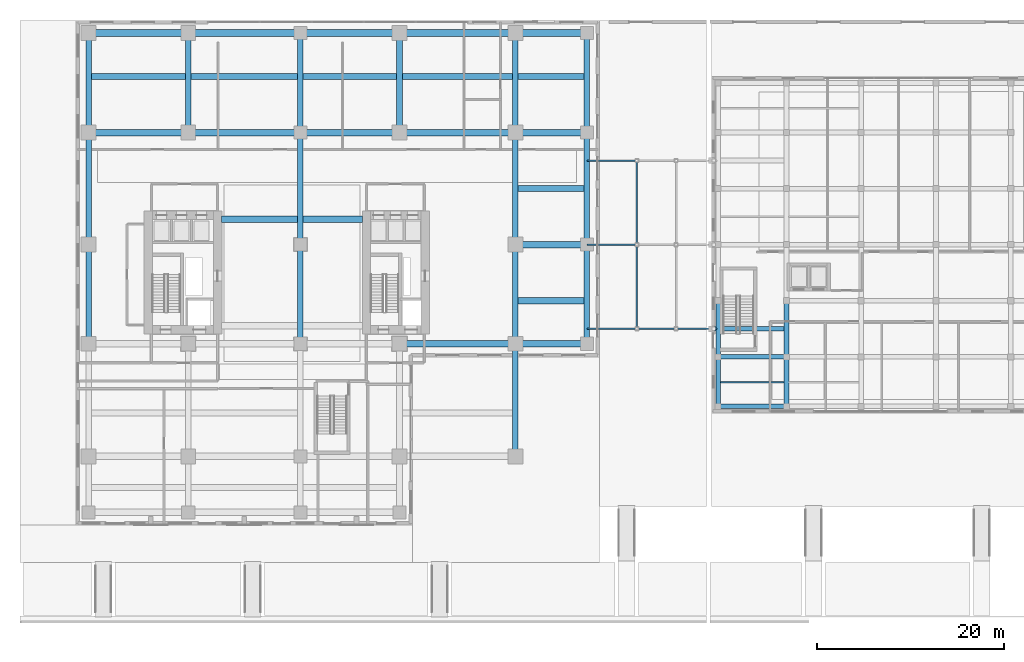
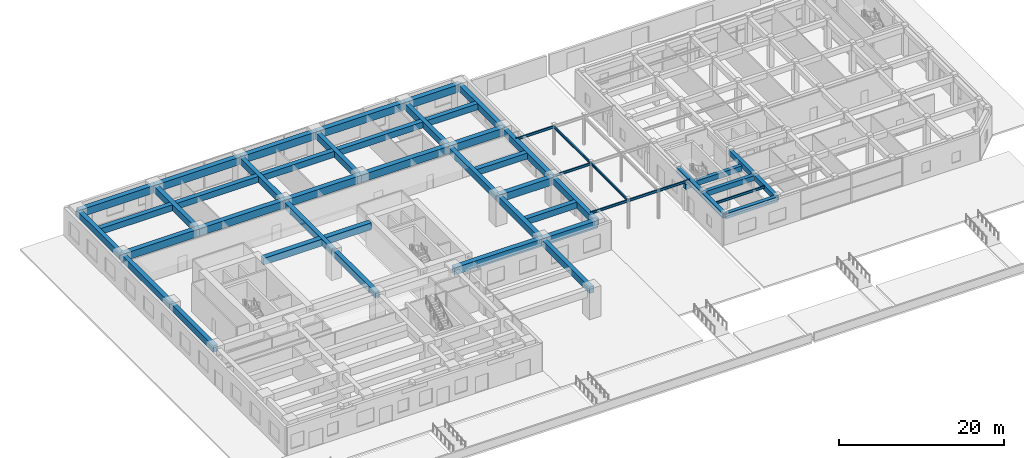
# One storey, part 11 of 39: 51 beams.
"""IFC4 building model written with IfcOpenShell, lengths in metres."""

from ifc_helpers import new_model, si_unit, direction, frame, origin, origin_2d, place, context, subcontext, project, spatial, rectangle, i_section, extrude, source, transform, mapped, material, material_profile, profile_set, type_object, element, save


model = new_model("IFC4")

# Units and contexts
model_context = context("Model", 3, precision=1e-05, world=origin(), true_north=direction((0.0, 1.0)))
body_context = subcontext(model_context, "Body", "Model", "MODEL_VIEW")
ifc_project = project(units=[si_unit("LENGTHUNIT", "METRE"), si_unit("AREAUNIT", "SQUARE_METRE"), si_unit("VOLUMEUNIT", "CUBIC_METRE"), si_unit("PLANEANGLEUNIT", "RADIAN"), si_unit("MASSUNIT", "GRAM", prefix="KILO")], contexts=[model_context])

# Site, building, storey
site_placement = place(None, origin())
site = spatial("IfcSite", under=ifc_project, at=site_placement, CompositionType="ELEMENT")
building_placement = place(site_placement, origin())
building = spatial("IfcBuilding", under=site, at=building_placement, Name="Khoralis Quay Care Tower", CompositionType="ELEMENT")
storey_placement = place(building_placement, origin())
storey = spatial("IfcBuildingStorey", under=building, at=storey_placement, Name="L00", CompositionType="ELEMENT", Elevation=0.0)

# Beams
ifc_material_1 = material(Name="Concrete C40/50", Category="concrete")
ifc_material_profile_1 = material_profile(ifc_material_1, rectangle(XDim=0.5, YDim=0.75, at=origin_2d()), Name="Concrete C40/50")
ifc_profile_set_1 = profile_set([ifc_material_profile_1], Name="Concrete C40/50")
beam_type_1 = type_object("IfcBeamType", Name="BM-RC500X750", PredefinedType="BEAM", material=ifc_profile_set_1)
shared_shape_1 = source(origin(), body_context, "Body", "SweptSolid", [
    extrude(rectangle(XDim=0.5, YDim=0.75, at=origin_2d()), origin(), (0.0, 0.0, 1.0), 7.923095703125),
])
beam_1_placement = place(storey_placement, frame((67.824951171875, 15.0, 3.425048828125), z_axis=(1.0, 0.0, 0.0), x_axis=(0.0, 1.0, 0.0)))
element("IfcBeam", 1, at=beam_1_placement, inside=storey, type_object=beam_type_1, Name="Movement Joint 800mm Concrete Bearing Seat Corbel 1", PredefinedType="BEAM", context=body_context, shape_type="MappedRepresentation", body=[
    mapped(shared_shape_1, transform((0.0, 0.0, 0.0), scale=1.0)),
])
ifc_material_2 = material(Name="Steel S355", Category="steel")
ifc_material_profile_2 = material_profile(ifc_material_2, i_section(OverallWidth=0.169921875, OverallDepth=0.360107421875, WebThickness=0.008056640625, FlangeThickness=0.0126953125, FilletRadius=0.01806640625, at=origin_2d()), Name="Steel S355")
ifc_profile_set_2 = profile_set([ifc_material_profile_2], Name="Steel S355")
beam_type_2 = type_object("IfcBeamType", Name="BM-IPE360", PredefinedType="SPANDREL", material=ifc_profile_set_2)
shared_shape_2 = source(origin(), body_context, "Body", "SweptSolid", [
    extrude(i_section(OverallWidth=0.169921875, OverallDepth=0.360107421875, WebThickness=0.008056640625, FlangeThickness=0.0126953125, FilletRadius=0.01806640625, at=origin_2d()), origin(), (0.0, 0.0, 1.0), 5.35009765625),
])
for number, where, z_axis, x_axis, name in (
    (2, (54.64990234375, 15.0, 4.06005859375), (1.0, 0.0, 0.0), (0.0, 1.0, 0.0), "BM-L01-CAN-W1"),
    (3, (54.64990234375, 24.0, 4.06005859375), (1.0, 0.0, 0.0), (0.0, 1.0, 0.0), "BM-L01-CAN-W2"),
    (4, (54.64990234375, 33.0, 4.06005859375), (1.0, 0.0, 0.0), (0.0, 1.0, 0.0), "BM-L01-CAN-W3"),
):
    element("IfcBeam", number, at=place(storey_placement, frame(where, z_axis=z_axis, x_axis=x_axis)), inside=storey, type_object=beam_type_2, Name=name, PredefinedType="SPANDREL", context=body_context, shape_type="MappedRepresentation", body=[
        mapped(shared_shape_2, transform((0.0, 0.0, 0.0), scale=1.0)),
    ])
shared_shape_3 = source(origin(), body_context, "Body", "SweptSolid", [
    extrude(i_section(OverallWidth=0.169921875, OverallDepth=0.360107421875, WebThickness=0.008056640625, FlangeThickness=0.0126953125, FilletRadius=0.01806640625, at=origin_2d()), origin(), (0.0, 0.0, 1.0), 4.199951171875),
])
beam_2_placement = place(storey_placement, frame((60.0, 15.0, 4.06005859375), z_axis=(1.0, 0.0, 0.0), x_axis=(0.0, 1.0, 0.0)))
element("IfcBeam", 5, at=beam_2_placement, inside=storey, type_object=beam_type_2, Name="BM-L01-CAN-M1", PredefinedType="SPANDREL", context=body_context, shape_type="MappedRepresentation", body=[
    mapped(shared_shape_3, transform((0.0, 0.0, 0.0), scale=1.0)),
])
shared_shape_4 = source(origin(), body_context, "Body", "SweptSolid", [
    extrude(i_section(OverallWidth=0.169921875, OverallDepth=0.360107421875, WebThickness=0.008056640625, FlangeThickness=0.0126953125, FilletRadius=0.01806640625, at=origin_2d()), origin(), (0.0, 0.0, 1.0), 4.35009765625),
])
beam_3_placement = place(storey_placement, frame((64.199951171875, 15.0, 4.06005859375), z_axis=(1.0, 0.0, 0.0), x_axis=(0.0, 1.0, 0.0)))
element("IfcBeam", 6, at=beam_3_placement, inside=storey, type_object=beam_type_2, Name="BM-L01-CAN-J1", PredefinedType="SPANDREL", context=body_context, shape_type="MappedRepresentation", body=[
    mapped(shared_shape_4, transform((0.0, 0.0, 0.0), scale=1.0)),
])
shared_shape_5 = source(origin(), body_context, "Body", "SweptSolid", [
    extrude(i_section(OverallWidth=0.169921875, OverallDepth=0.360107421875, WebThickness=0.008056640625, FlangeThickness=0.0126953125, FilletRadius=0.01806640625, at=origin_2d()), origin(), (0.0, 0.0, 1.0), 9.0),
])
for number, where, z_axis, x_axis, name in (
    (7, (60.0, 15.0, 4.06005859375), (0.0, 1.0, 0.0), (-1.0, 0.0, 0.0), "BM-L01-CAN-TIE1"),
    (8, (60.0, 24.0, 4.06005859375), (0.0, 1.0, 0.0), (-1.0, 0.0, 0.0), "BM-L01-CAN-TIE2"),
):
    element("IfcBeam", number, at=place(storey_placement, frame(where, z_axis=z_axis, x_axis=x_axis)), inside=storey, type_object=beam_type_2, Name=name, PredefinedType="SPANDREL", context=body_context, shape_type="MappedRepresentation", body=[
        mapped(shared_shape_5, transform((0.0, 0.0, 0.0), scale=1.0)),
    ])
ifc_material_3 = material(Name="Concrete C80/95", Category="concrete")
ifc_material_profile_3 = material_profile(ifc_material_3, rectangle(XDim=0.699951171875, YDim=1.0, at=origin_2d()), Name="Concrete C80/95")
ifc_profile_set_3 = profile_set([ifc_material_profile_3], Name="Concrete C80/95")
beam_type_3 = type_object("IfcBeamType", Name="CB-RC700X1000", PredefinedType="LINTEL", material=ifc_profile_set_3)
shared_shape_6 = source(origin(), body_context, "Body", "SweptSolid", [
    extrude(rectangle(XDim=0.699951171875, YDim=1.0, at=origin_2d()), origin(), (0.0, 0.0, 1.0), 15.079833984375),
])
beam_4_placement = place(storey_placement, frame((15.570068359375, 26.699951171875, 3.659912109375), z_axis=(1.0, 0.0, 0.0), x_axis=(0.0, 1.0, 0.0)))
element("IfcBeam", 9, at=beam_4_placement, inside=storey, type_object=beam_type_3, Name="L00 North Core Coupling Lintel", PredefinedType="LINTEL", context=body_context, shape_type="MappedRepresentation", body=[
    mapped(shared_shape_6, transform((0.0, 0.0, 0.0), scale=1.0)),
])
ifc_material_4 = material(Name="Concrete C65/80", Category="concrete")
ifc_material_profile_4 = material_profile(ifc_material_4, rectangle(XDim=0.699951171875, YDim=1.10009765625, at=origin_2d()), Name="Concrete C65/80")
ifc_profile_set_4 = profile_set([ifc_material_profile_4], Name="Concrete C65/80")
beam_type_4 = type_object("IfcBeamType", Name="BM-RC700X1100", PredefinedType="BEAM", material=ifc_profile_set_4)
shared_shape_7 = source(origin(), body_context, "Body", "SweptSolid", [
    extrude(rectangle(XDim=0.699951171875, YDim=1.10009765625, at=origin_2d()), origin(), (0.0, 0.0, 1.0), 10.64990234375),
])
for number, where, z_axis, x_axis, name in (
    (10, (1.35009765625, 36.0, 3.610107421875), (1.0, 0.0, 0.0), (0.0, 1.0, 0.0), "BM-PODX-L00-14"),
    (11, (1.35009765625, 46.64990234375, 3.610107421875), (1.0, 0.0, 0.0), (0.0, 1.0, 0.0), "BM-PODX-L00-19"),
):
    element("IfcBeam", number, at=place(storey_placement, frame(where, z_axis=z_axis, x_axis=x_axis)), inside=storey, type_object=beam_type_4, Name=name, PredefinedType="BEAM", context=body_context, shape_type="MappedRepresentation", body=[
        mapped(shared_shape_7, transform((0.0, 0.0, 0.0), scale=1.0)),
    ])
shared_shape_8 = source(origin(), body_context, "Body", "SweptSolid", [
    extrude(rectangle(XDim=0.699951171875, YDim=1.10009765625, at=origin_2d()), origin(), (0.0, 0.0, 1.0), 12.0),
])
for number, where, z_axis, x_axis, name in (
    (12, (12.0, 36.0, 3.610107421875), (1.0, 0.0, 0.0), (0.0, 1.0, 0.0), "BM-PODX-L00-15"),
    (13, (12.0, 46.64990234375, 3.610107421875), (1.0, 0.0, 0.0), (0.0, 1.0, 0.0), "BM-PODX-L00-20"),
):
    element("IfcBeam", number, at=place(storey_placement, frame(where, z_axis=z_axis, x_axis=x_axis)), inside=storey, type_object=beam_type_4, Name=name, PredefinedType="BEAM", context=body_context, shape_type="MappedRepresentation", body=[
        mapped(shared_shape_8, transform((0.0, 0.0, 0.0), scale=1.0)),
    ])
shared_shape_9 = source(origin(), body_context, "Body", "SweptSolid", [
    extrude(rectangle(XDim=0.699951171875, YDim=1.10009765625, at=origin_2d()), origin(), (0.0, 0.0, 1.0), 10.60009765625),
])
for number, where, z_axis, x_axis, name in (
    (14, (24.0, 36.0, 3.610107421875), (1.0, 0.0, 0.0), (0.0, 1.0, 0.0), "BM-PODX-L00-16"),
    (15, (24.0, 46.64990234375, 3.610107421875), (1.0, 0.0, 0.0), (0.0, 1.0, 0.0), "BM-PODX-L00-21"),
):
    element("IfcBeam", number, at=place(storey_placement, frame(where, z_axis=z_axis, x_axis=x_axis)), inside=storey, type_object=beam_type_4, Name=name, PredefinedType="BEAM", context=body_context, shape_type="MappedRepresentation", body=[
        mapped(shared_shape_9, transform((0.0, 0.0, 0.0), scale=1.0)),
    ])
shared_shape_10 = source(origin(), body_context, "Body", "SweptSolid", [
    extrude(rectangle(XDim=0.699951171875, YDim=1.10009765625, at=origin_2d()), origin(), (0.0, 0.0, 1.0), 12.39990234375),
])
for number, where, z_axis, x_axis, name in (
    (16, (34.60009765625, 13.39990234375, 3.610107421875), (1.0, 0.0, 0.0), (0.0, 1.0, 0.0), "BM-PODX-L00-11"),
    (17, (34.60009765625, 36.0, 3.610107421875), (1.0, 0.0, 0.0), (0.0, 1.0, 0.0), "BM-PODX-L00-17"),
    (18, (34.60009765625, 46.64990234375, 3.610107421875), (1.0, 0.0, 0.0), (0.0, 1.0, 0.0), "BM-PODX-L00-22"),
):
    element("IfcBeam", number, at=place(storey_placement, frame(where, z_axis=z_axis, x_axis=x_axis)), inside=storey, type_object=beam_type_4, Name=name, PredefinedType="BEAM", context=body_context, shape_type="MappedRepresentation", body=[
        mapped(shared_shape_10, transform((0.0, 0.0, 0.0), scale=1.0)),
    ])
shared_shape_11 = source(origin(), body_context, "Body", "SweptSolid", [
    extrude(rectangle(XDim=0.699951171875, YDim=1.10009765625, at=origin_2d()), origin(), (0.0, 0.0, 1.0), 7.64990234375),
])
for number, where, z_axis, x_axis, name in (
    (19, (47.0, 13.39990234375, 3.610107421875), (1.0, 0.0, 0.0), (0.0, 1.0, 0.0), "BM-PODX-L00-12"),
    (20, (47.0, 24.0, 3.610107421875), (1.0, 0.0, 0.0), (0.0, 1.0, 0.0), "BM-PODX-L00-13"),
    (21, (47.0, 36.0, 3.610107421875), (1.0, 0.0, 0.0), (0.0, 1.0, 0.0), "BM-PODX-L00-18"),
    (22, (47.0, 46.64990234375, 3.610107421875), (1.0, 0.0, 0.0), (0.0, 1.0, 0.0), "BM-PODX-L00-23"),
):
    element("IfcBeam", number, at=place(storey_placement, frame(where, z_axis=z_axis, x_axis=x_axis)), inside=storey, type_object=beam_type_4, Name=name, PredefinedType="BEAM", context=body_context, shape_type="MappedRepresentation", body=[
        mapped(shared_shape_11, transform((0.0, 0.0, 0.0), scale=1.0)),
    ])
ifc_material_5 = material(Name="Concrete C50/60", Category="concrete")
ifc_material_profile_5 = material_profile(ifc_material_5, rectangle(XDim=0.60009765625, YDim=0.949951171875, at=origin_2d()), Name="Concrete C50/60")
ifc_profile_set_5 = profile_set([ifc_material_profile_5], Name="Concrete C50/60")
beam_type_5 = type_object("IfcBeamType", Name="BM-RC600X950", PredefinedType="BEAM", material=ifc_profile_set_5)
shared_shape_12 = source(origin(), body_context, "Body", "SweptSolid", [
    extrude(rectangle(XDim=0.60009765625, YDim=0.949951171875, at=origin_2d()), origin(), (0.0, 0.0, 1.0), 12.0498046875),
])
beam_5_placement = place(storey_placement, frame((47.0, 1.35009765625, 3.68505859375), z_axis=(0.0, 1.0, 0.0), x_axis=(-1.0, 0.0, 0.0)))
element("IfcBeam", 23, at=beam_5_placement, inside=storey, type_object=beam_type_5, Name="BM-PODY-L00-40", PredefinedType="BEAM", context=body_context, shape_type="MappedRepresentation", body=[
    mapped(shared_shape_12, transform((0.0, 0.0, 0.0), scale=1.0)),
])
shared_shape_13 = source(origin(), body_context, "Body", "SweptSolid", [
    extrude(rectangle(XDim=0.60009765625, YDim=0.949951171875, at=origin_2d()), origin(), (0.0, 0.0, 1.0), 10.60009765625),
])
for number, where, z_axis, x_axis, name in (
    (24, (1.35009765625, 13.39990234375, 3.68505859375), (0.0, 1.0, 0.0), (-1.0, 0.0, 0.0), "BM-PODY-L00-26"),
    (25, (24.0, 13.39990234375, 3.68505859375), (0.0, 1.0, 0.0), (-1.0, 0.0, 0.0), "BM-PODY-L00-34"),
    (26, (47.0, 13.39990234375, 3.68505859375), (0.0, 1.0, 0.0), (-1.0, 0.0, 0.0), "BM-PODY-L00-41"),
    (27, (54.64990234375, 13.39990234375, 3.68505859375), (0.0, 1.0, 0.0), (-1.0, 0.0, 0.0), "BM-PODY-L00-44"),
):
    element("IfcBeam", number, at=place(storey_placement, frame(where, z_axis=z_axis, x_axis=x_axis)), inside=storey, type_object=beam_type_5, Name=name, PredefinedType="BEAM", context=body_context, shape_type="MappedRepresentation", body=[
        mapped(shared_shape_13, transform((0.0, 0.0, 0.0), scale=1.0)),
    ])
shared_shape_14 = source(origin(), body_context, "Body", "SweptSolid", [
    extrude(rectangle(XDim=0.60009765625, YDim=0.949951171875, at=origin_2d()), origin(), (0.0, 0.0, 1.0), 12.0),
])
for number, where, z_axis, x_axis, name in (
    (28, (1.35009765625, 24.0, 3.68505859375), (0.0, 1.0, 0.0), (-1.0, 0.0, 0.0), "BM-PODY-L00-27"),
    (29, (24.0, 24.0, 3.68505859375), (0.0, 1.0, 0.0), (-1.0, 0.0, 0.0), "BM-PODY-L00-35"),
    (30, (47.0, 24.0, 3.68505859375), (0.0, 1.0, 0.0), (-1.0, 0.0, 0.0), "BM-PODY-L00-42"),
    (31, (54.64990234375, 24.0, 3.68505859375), (0.0, 1.0, 0.0), (-1.0, 0.0, 0.0), "BM-PODY-L00-45"),
):
    element("IfcBeam", number, at=place(storey_placement, frame(where, z_axis=z_axis, x_axis=x_axis)), inside=storey, type_object=beam_type_5, Name=name, PredefinedType="BEAM", context=body_context, shape_type="MappedRepresentation", body=[
        mapped(shared_shape_14, transform((0.0, 0.0, 0.0), scale=1.0)),
    ])
shared_shape_15 = source(origin(), body_context, "Body", "SweptSolid", [
    extrude(rectangle(XDim=0.60009765625, YDim=0.949951171875, at=origin_2d()), origin(), (0.0, 0.0, 1.0), 10.64990234375),
])
for number, where, z_axis, x_axis, name in (
    (32, (1.35009765625, 36.0, 3.68505859375), (0.0, 1.0, 0.0), (-1.0, 0.0, 0.0), "BM-PODY-L00-28"),
    (33, (12.0, 36.0, 3.68505859375), (0.0, 1.0, 0.0), (-1.0, 0.0, 0.0), "BM-PODY-L00-31"),
    (34, (24.0, 36.0, 3.68505859375), (0.0, 1.0, 0.0), (-1.0, 0.0, 0.0), "BM-PODY-L00-36"),
    (35, (34.60009765625, 36.0, 3.68505859375), (0.0, 1.0, 0.0), (-1.0, 0.0, 0.0), "BM-PODY-L00-39"),
    (36, (47.0, 36.0, 3.68505859375), (0.0, 1.0, 0.0), (-1.0, 0.0, 0.0), "BM-PODY-L00-43"),
    (37, (54.64990234375, 36.0, 3.68505859375), (0.0, 1.0, 0.0), (-1.0, 0.0, 0.0), "BM-PODY-L00-46"),
):
    element("IfcBeam", number, at=place(storey_placement, frame(where, z_axis=z_axis, x_axis=x_axis)), inside=storey, type_object=beam_type_5, Name=name, PredefinedType="BEAM", context=body_context, shape_type="MappedRepresentation", body=[
        mapped(shared_shape_15, transform((0.0, 0.0, 0.0), scale=1.0)),
    ])
ifc_material_profile_6 = material_profile(ifc_material_5, rectangle(XDim=0.64990234375, YDim=0.89990234375, at=origin_2d()), Name="Concrete C50/60")
ifc_profile_set_6 = profile_set([ifc_material_profile_6], Name="Concrete C50/60")
beam_type_6 = type_object("IfcBeamType", Name="TB-RC650X900", PredefinedType="T_BEAM", material=ifc_profile_set_6)
shared_shape_16 = source(origin(), body_context, "Body", "SweptSolid", [
    extrude(rectangle(XDim=0.64990234375, YDim=0.89990234375, at=origin_2d()), origin(), (0.0, 0.0, 1.0), 10.073974609375),
])
beam_6_placement = place(storey_placement, frame((1.637939453125, 42.0, 3.7099609375), z_axis=(1.0, 0.0, 0.0), x_axis=(0.0, 1.0, 0.0)))
element("IfcBeam", 38, at=beam_6_placement, inside=storey, type_object=beam_type_6, Name="BM-PODJ-L00-55", PredefinedType="T_BEAM", context=body_context, shape_type="MappedRepresentation", body=[
    mapped(shared_shape_16, transform((0.0, 0.0, 0.0), scale=1.0)),
])
shared_shape_17 = source(origin(), body_context, "Body", "SweptSolid", [
    extrude(rectangle(XDim=0.64990234375, YDim=0.89990234375, at=origin_2d()), origin(), (0.0, 0.0, 1.0), 11.423828125),
])
beam_7_placement = place(storey_placement, frame((12.2880859375, 42.0, 3.7099609375), z_axis=(1.0, 0.0, 0.0), x_axis=(0.0, 1.0, 0.0)))
element("IfcBeam", 39, at=beam_7_placement, inside=storey, type_object=beam_type_6, Name="BM-PODJ-L00-56", PredefinedType="T_BEAM", context=body_context, shape_type="MappedRepresentation", body=[
    mapped(shared_shape_17, transform((0.0, 0.0, 0.0), scale=1.0)),
])
shared_shape_18 = source(origin(), body_context, "Body", "SweptSolid", [
    extrude(rectangle(XDim=0.64990234375, YDim=0.89990234375, at=origin_2d()), origin(), (0.0, 0.0, 1.0), 10.02392578125),
])
beam_8_placement = place(storey_placement, frame((24.2880859375, 42.0, 3.7099609375), z_axis=(1.0, 0.0, 0.0), x_axis=(0.0, 1.0, 0.0)))
element("IfcBeam", 40, at=beam_8_placement, inside=storey, type_object=beam_type_6, Name="BM-PODJ-L00-57", PredefinedType="T_BEAM", context=body_context, shape_type="MappedRepresentation", body=[
    mapped(shared_shape_18, transform((0.0, 0.0, 0.0), scale=1.0)),
])
shared_shape_19 = source(origin(), body_context, "Body", "SweptSolid", [
    extrude(rectangle(XDim=0.64990234375, YDim=0.89990234375, at=origin_2d()), origin(), (0.0, 0.0, 1.0), 11.823974609375),
])
beam_9_placement = place(storey_placement, frame((34.887939453125, 42.0, 3.7099609375), z_axis=(1.0, 0.0, 0.0), x_axis=(0.0, 1.0, 0.0)))
element("IfcBeam", 41, at=beam_9_placement, inside=storey, type_object=beam_type_6, Name="BM-PODJ-L00-58", PredefinedType="T_BEAM", context=body_context, shape_type="MappedRepresentation", body=[
    mapped(shared_shape_19, transform((0.0, 0.0, 0.0), scale=1.0)),
])
shared_shape_20 = source(origin(), body_context, "Body", "SweptSolid", [
    extrude(rectangle(XDim=0.64990234375, YDim=0.89990234375, at=origin_2d()), origin(), (0.0, 0.0, 1.0), 7.073974609375),
])
for number, where, z_axis, x_axis, name in (
    (42, (47.2880859375, 18.0, 3.7099609375), (1.0, 0.0, 0.0), (0.0, 1.0, 0.0), "BM-PODJ-L00-53"),
    (43, (47.2880859375, 30.0, 3.7099609375), (1.0, 0.0, 0.0), (0.0, 1.0, 0.0), "BM-PODJ-L00-54"),
    (44, (47.2880859375, 42.0, 3.7099609375), (1.0, 0.0, 0.0), (0.0, 1.0, 0.0), "BM-PODJ-L00-59"),
):
    element("IfcBeam", number, at=place(storey_placement, frame(where, z_axis=z_axis, x_axis=x_axis)), inside=storey, type_object=beam_type_6, Name=name, PredefinedType="T_BEAM", context=body_context, shape_type="MappedRepresentation", body=[
        mapped(shared_shape_20, transform((0.0, 0.0, 0.0), scale=1.0)),
    ])
shared_shape_21 = source(origin(), body_context, "Body", "SweptSolid", [
    extrude(rectangle(XDim=0.5, YDim=0.75, at=origin_2d()), origin(), (0.0, 0.0, 1.0), 7.300048828125),
])
for number, where, z_axis, x_axis, name in (
    (45, (68.699951171875, 6.699951171875, 3.824951171875), (1.0, 0.0, 0.0), (0.0, 1.0, 0.0), "BM-SCX-L00-01"),
    (46, (68.699951171875, 12.0, 3.824951171875), (1.0, 0.0, 0.0), (0.0, 1.0, 0.0), "BM-SCX-L00-05"),
):
    element("IfcBeam", number, at=place(storey_placement, frame(where, z_axis=z_axis, x_axis=x_axis)), inside=storey, type_object=beam_type_1, Name=name, PredefinedType="BEAM", context=body_context, shape_type="MappedRepresentation", body=[
        mapped(shared_shape_21, transform((0.0, 0.0, 0.0), scale=1.0)),
    ])
shared_shape_22 = source(origin(), body_context, "Body", "SweptSolid", [
    extrude(rectangle(XDim=0.5, YDim=0.75, at=origin_2d()), origin(), (0.0, 0.0, 1.0), 5.300048828125),
])
for number, where, z_axis, x_axis, name in (
    (47, (68.699951171875, 6.699951171875, 3.824951171875), (0.0, 1.0, 0.0), (-1.0, 0.0, 0.0), "BM-SCY-L00-33"),
    (48, (76.0, 6.699951171875, 3.824951171875), (0.0, 1.0, 0.0), (-1.0, 0.0, 0.0), "BM-SCY-L00-39"),
):
    element("IfcBeam", number, at=place(storey_placement, frame(where, z_axis=z_axis, x_axis=x_axis)), inside=storey, type_object=beam_type_1, Name=name, PredefinedType="BEAM", context=body_context, shape_type="MappedRepresentation", body=[
        mapped(shared_shape_22, transform((0.0, 0.0, 0.0), scale=1.0)),
    ])
shared_shape_23 = source(origin(), body_context, "Body", "SweptSolid", [
    extrude(rectangle(XDim=0.5, YDim=0.75, at=origin_2d()), origin(), (0.0, 0.0, 1.0), 6.0),
])
for number, where, z_axis, x_axis, name in (
    (49, (68.699951171875, 12.0, 3.824951171875), (0.0, 1.0, 0.0), (-1.0, 0.0, 0.0), "BM-SCY-L00-34"),
    (50, (76.0, 12.0, 3.824951171875), (0.0, 1.0, 0.0), (-1.0, 0.0, 0.0), "BM-SCY-L00-40"),
):
    element("IfcBeam", number, at=place(storey_placement, frame(where, z_axis=z_axis, x_axis=x_axis)), inside=storey, type_object=beam_type_1, Name=name, PredefinedType="BEAM", context=body_context, shape_type="MappedRepresentation", body=[
        mapped(shared_shape_23, transform((0.0, 0.0, 0.0), scale=1.0)),
    ])
ifc_material_profile_7 = material_profile(ifc_material_2, i_section(OverallWidth=0.1708984375, OverallDepth=0.35498046875, WebThickness=0.007080078125, FlangeThickness=0.01171875, FilletRadius=0.012939453125, at=origin_2d()), Name="Steel S355")
ifc_profile_set_7 = profile_set([ifc_material_profile_7], Name="Steel S355")
beam_type_7 = type_object("IfcBeamType", Name="BM-W360X51", PredefinedType="JOIST", material=ifc_profile_set_7)
shared_shape_24 = source(origin(), body_context, "Body", "SweptSolid", [
    extrude(i_section(OverallWidth=0.1708984375, OverallDepth=0.35498046875, WebThickness=0.007080078125, FlangeThickness=0.01171875, FilletRadius=0.012939453125, at=origin_2d()), origin(), (0.0, 0.0, 1.0), 6.823974609375),
])
beam_10_placement = place(storey_placement, frame((68.93798828125, 9.300048828125, 4.0224609375), z_axis=(1.0, 0.0, 0.0), x_axis=(0.0, 1.0, 0.0)))
element("IfcBeam", 51, at=beam_10_placement, inside=storey, type_object=beam_type_7, Name="BM-SCJ-L00-68", PredefinedType="JOIST", context=body_context, shape_type="MappedRepresentation", body=[
    mapped(shared_shape_24, transform((0.0, 0.0, 0.0), scale=1.0)),
])

save(model, "model.ifc")
